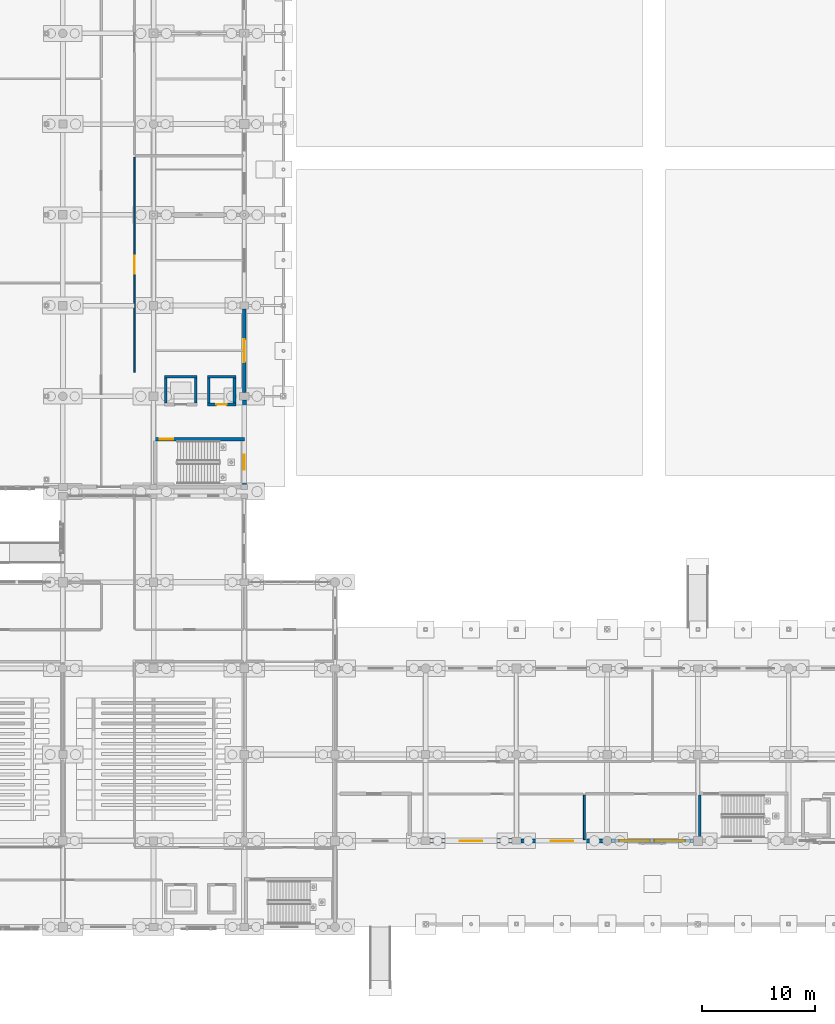
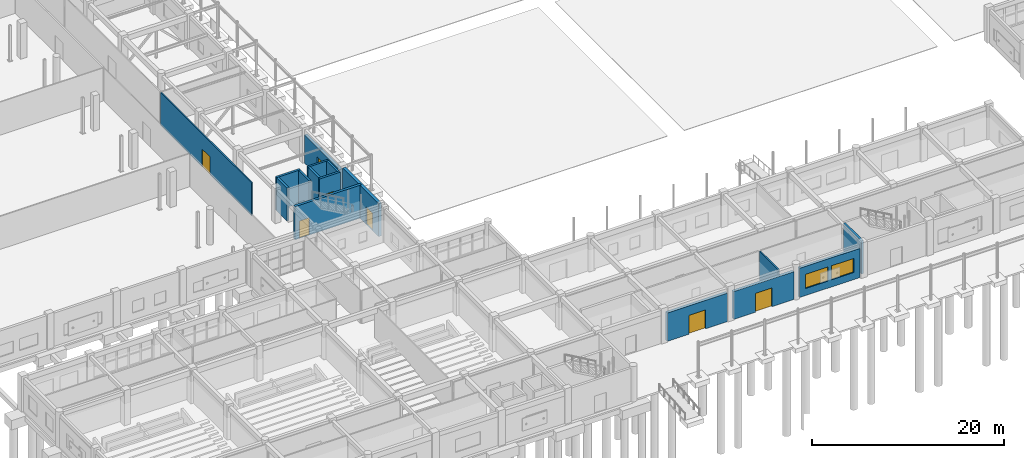
# One storey, part 131 of 166: 16 walls, 7 doors, 2 windows, 9 openings.
"""IFC4 building model written with IfcOpenShell, lengths in metres."""

import ifcopenshell
import ifcopenshell.guid

model = None  # the IFC model being written
_history = None  # IfcOwnerHistory: only IFC2X3 demands one
_inside = {}  # id of a spatial element -> (the spatial element, [elements in it])
_under = {}  # id of a project, library or spatial element -> (it, [spatial elements below it])
_declared = {}  # id of a project -> (the project, [libraries it declares])
_typed = {}  # id of a type object -> (the type object, [elements of that type])
_made_of = {}  # id of a material, layer set ... -> (it, [elements and type objects made of it])


def new_model(schema):
    """Start an empty IFC model of exactly this schema.

    Asked for "IFC4X3", IfcOpenShell would pick the latest addendum, in which some entities
    have other attributes; the version numbers below select the first issue.
    IFC2X3 requires an IfcOwnerHistory on every rooted entity: one is made here for all.
    """
    global model, _history
    if schema == "IFC4X3":
        model = ifcopenshell.file(schema_version=(4, 3, 0, 0))
    else:
        model = ifcopenshell.file(schema=schema)
    _inside.clear()
    _under.clear()
    _declared.clear()
    _typed.clear()
    _made_of.clear()
    _history = None
    if model.schema == "IFC2X3":
        org = make("IfcOrganization", Name="unknown")
        user = make(
            "IfcPersonAndOrganization",
            ThePerson=make("IfcPerson", FamilyName="unknown"),
            TheOrganization=org,
        )
        app = make(
            "IfcApplication",
            ApplicationDeveloper=org,
            Version="unknown",
            ApplicationFullName="unknown",
            ApplicationIdentifier="unknown",
        )
        _history = make(
            "IfcOwnerHistory",
            OwningUser=user,
            OwningApplication=app,
            ChangeAction="ADDED",
            CreationDate=0,
        )
    return model


def make(cls, **values):
    """One entity of the class cls with the attributes given. An attribute that is None is left unset."""
    return model.create_entity(
        cls, **{name: value for name, value in values.items() if value is not None}
    )


def rooted(cls, **values):
    """An entity with a GlobalId (a new one), such as an element, a storey or a relation."""
    return make(cls, GlobalId=ifcopenshell.guid.new(), OwnerHistory=_history, **values)


def si_unit(unit_type, name, prefix=None):
    """IfcSIUnit, for example si_unit("LENGTHUNIT", "METRE", prefix="MILLI")."""
    return make("IfcSIUnit", UnitType=unit_type, Prefix=prefix, Name=name)


def assignment(units):
    """IfcUnitAssignment: the units of a project."""
    return None if units is None else make("IfcUnitAssignment", Units=units)


def point(xyz):
    """IfcCartesianPoint."""
    return None if xyz is None else make("IfcCartesianPoint", Coordinates=xyz)


def direction(xyz):
    """IfcDirection."""
    return None if xyz is None else make("IfcDirection", DirectionRatios=xyz)


def frame(location, z_axis=None, x_axis=None):
    """IfcAxis2Placement3D, a coordinate frame: its origin and axes. An axis left out is left unset."""
    return make(
        "IfcAxis2Placement3D",
        Location=point(location),
        Axis=direction(z_axis),
        RefDirection=direction(x_axis),
    )


def frame_2d(location, x_axis=None):
    """IfcAxis2Placement2D, a coordinate frame in the plane: its origin and x axis."""
    return make(
        "IfcAxis2Placement2D", Location=point(location), RefDirection=direction(x_axis)
    )


def origin():
    """The frame at (0, 0, 0) with its axes left unset."""
    return frame((0.0, 0.0, 0.0))


def place(relative_to, where):
    """IfcLocalPlacement: puts the frame where relative to a parent placement (None: the world)."""
    return make(
        "IfcLocalPlacement", PlacementRelTo=relative_to, RelativePlacement=where
    )


def context(
    kind, dimensions, precision=None, world=None, true_north=None, identifier=None
):
    """IfcGeometricRepresentationContext, for example the 3D "Model" context."""
    return make(
        "IfcGeometricRepresentationContext",
        ContextIdentifier=identifier,
        ContextType=kind,
        CoordinateSpaceDimension=dimensions,
        Precision=precision,
        WorldCoordinateSystem=world,
        TrueNorth=true_north,
    )


def subcontext(parent, identifier, kind, view, scale=None):
    """IfcGeometricRepresentationSubContext, for example "Body" below "Model"."""
    return make(
        "IfcGeometricRepresentationSubContext",
        ContextIdentifier=identifier,
        ContextType=kind,
        ParentContext=parent,
        TargetScale=scale,
        TargetView=view,
    )


def project(units=None, contexts=None):
    """IfcProject with its units and contexts."""
    return rooted(
        "IfcProject",
        Name="project",
        RepresentationContexts=contexts,
        UnitsInContext=assignment(units),
    )


def spatial(cls, under=None, at=None, **own):
    """A site, building, storey or space (cls), placed at a placement, below another one or the project."""
    s = rooted(cls, ObjectPlacement=at, **own)
    if under is not None:
        _under.setdefault(under.id(), (under, []))[1].append(s)
    return s


def profile(cls, at=None, kind="AREA", **sizes):
    """A parametric profile (cls). Its sizes go by their IFC names, for example OverallWidth=200.0."""
    return make(cls, ProfileType=kind, Position=at, **sizes)


def rectangle(**sizes):
    """IfcRectangleProfileDef."""
    return profile("IfcRectangleProfileDef", **sizes)


def extrude(swept, where, along, depth):
    """IfcExtrudedAreaSolid: the profile swept, set in the frame where, extruded along a direction by depth."""
    return make(
        "IfcExtrudedAreaSolid",
        SweptArea=swept,
        Position=where,
        ExtrudedDirection=direction(along),
        Depth=depth,
    )


def shape(context_of_items, identifier, shape_type, items):
    """IfcShapeRepresentation: the items that make up one representation, for example the "Body"."""
    return make(
        "IfcShapeRepresentation",
        ContextOfItems=context_of_items,
        RepresentationIdentifier=identifier,
        RepresentationType=shape_type,
        Items=items,
    )


def material(Name=None, Category=None):
    """IfcMaterial."""
    return make("IfcMaterial", Name=Name, Category=Category)


def layer(
    of_material, thickness, ventilated=None, Name=None, Category=None, Priority=None
):
    """IfcMaterialLayer: one layer of a wall or slab, of a material (None: an air gap)."""
    return make(
        "IfcMaterialLayer",
        Material=of_material,
        LayerThickness=thickness,
        IsVentilated=ventilated,
        Name=Name,
        Category=Category,
        Priority=Priority,
    )


def layer_set(layers, Name=None):
    """IfcMaterialLayerSet."""
    return make("IfcMaterialLayerSet", MaterialLayers=layers, LayerSetName=Name)


def made_of(thing, what):
    """Note that an element or type object is made of a material, layer set ...; save() writes the relation."""
    if what is not None:
        _made_of.setdefault(what.id(), (what, []))[1].append(thing)
    return thing


def type_object(cls, material=None, **own):
    """A type object (cls), such as IfcWallType, which elements share."""
    return made_of(rooted(cls, **own), material)


def element(
    cls,
    number,
    at=None,
    inside=None,
    cuts=None,
    type_object=None,
    material=None,
    context=None,
    identifier="Body",
    shape_type=None,
    held_by="IfcProductDefinitionShape",
    body=None,
    shapes=None,
    **own,
):
    """One element of the class cls, such as IfcWall. Its Tag is "e" and its number.

    at: its placement. inside: the storey or other place that contains it. cuts: it is an
    opening in that element (IfcRelVoidsElement). A single representation is given by context,
    identifier, shape_type and body (its items); several are given by shapes. held_by: the class
    of the entity that holds the representations. save() writes the other relations.
    """
    e = rooted(cls, Tag="e%d" % number, ObjectPlacement=at, **own)
    if body is not None:
        shapes = [shape(context, identifier, shape_type, body)]
    if shapes is not None:
        e.Representation = make(held_by, Representations=shapes)
    if inside is not None:
        _inside.setdefault(inside.id(), (inside, []))[1].append(e)
    if cuts is not None:
        rooted(
            "IfcRelVoidsElement", RelatingBuildingElement=cuts, RelatedOpeningElement=e
        )
    if type_object is not None:
        _typed.setdefault(type_object.id(), (type_object, []))[1].append(e)
    return made_of(e, material)


def fill(opening, filler):
    """IfcRelFillsElement: the door or window that sits in an opening."""
    return rooted(
        "IfcRelFillsElement",
        RelatingOpeningElement=opening,
        RelatedBuildingElement=filler,
    )


def aggregate(whole, parts):
    """IfcRelAggregates: a whole, such as a stair, and the parts it consists of."""
    return rooted("IfcRelAggregates", RelatingObject=whole, RelatedObjects=parts)


def save(model, path):
    """Write the relations noted so far, then the file.

    IfcRelAggregates (storeys below a building ...), IfcRelContainedInSpatialStructure (elements
    in a storey), IfcRelDefinesByType, IfcRelAssociatesMaterial and IfcRelDeclares: one each for
    every whole, place, type object, material and project.
    """
    for whole, parts in _under.values():
        aggregate(whole, parts)
    for where, things in _inside.values():
        rooted(
            "IfcRelContainedInSpatialStructure",
            RelatedElements=things,
            RelatingStructure=where,
        )
    for kind, things in _typed.values():
        rooted("IfcRelDefinesByType", RelatedObjects=things, RelatingType=kind)
    for what, things in _made_of.values():
        rooted("IfcRelAssociatesMaterial", RelatedObjects=things, RelatingMaterial=what)
    for by, libraries in _declared.values():
        rooted("IfcRelDeclares", RelatingContext=by, RelatedDefinitions=libraries)
    model.write(path)


model = new_model("IFC4")

# Units and contexts
model_context = context("Model", 3, precision=1e-05, world=origin(), true_north=direction((0.0, 1.0)))
body_context = subcontext(model_context, "Body", "Model", "MODEL_VIEW")
ifc_project = project(units=[si_unit("LENGTHUNIT", "METRE"), si_unit("AREAUNIT", "SQUARE_METRE"), si_unit("VOLUMEUNIT", "CUBIC_METRE"), si_unit("PLANEANGLEUNIT", "RADIAN"), si_unit("MASSUNIT", "GRAM", prefix="KILO")], contexts=[model_context])

# Site, building, storey
site_placement = place(None, origin())
site = spatial("IfcSite", under=ifc_project, at=site_placement, CompositionType="ELEMENT")
building_placement = place(site_placement, origin())
building = spatial("IfcBuilding", under=site, at=building_placement, Name="Kharva Crest Polytechnic", CompositionType="ELEMENT")
storey_placement = place(building_placement, origin())
storey = spatial("IfcBuildingStorey", under=building, at=storey_placement, Name="L00", CompositionType="ELEMENT", Elevation=0.0)

# Wall, opening, door
ifc_material_1 = material(Name="Concrete C40/50", Category="concrete")
ifc_layer_1 = layer(ifc_material_1, 0.300048828125, Name="Concrete C40/50")
ifc_layer_set_1 = layer_set([ifc_layer_1], Name="Concrete C40/50")
wall_type_1 = type_object("IfcWallType", Name="WL-CORE-CW2-300", PredefinedType="SHEAR", material=ifc_layer_set_1)
wall_1_placement = place(storey_placement, frame((40.0, 43.010009765625, 0.0), z_axis=(0.0, 0.0, 1.0), x_axis=(1.0, 0.0, 0.0)))
wall_1 = element("IfcWall", 1, at=wall_1_placement, inside=storey, type_object=wall_type_1, Name="L00 West Workshop Core C2 North Shear Wall", PredefinedType="SHEAR", context=body_context, shape_type="SweptSolid", body=[
    extrude(rectangle(XDim=8.0, YDim=0.300048828125, at=frame_2d((4.0, 0.0))), origin(), (0.0, 0.0, 1.0), 4.219970703125),
])
opening_1_placement = place(wall_1_placement, frame((0.550048828125, 0.0, 0.0)))
opening_1 = element("IfcOpeningElement", 2, at=opening_1_placement, cuts=wall_1, Name="Opening FD1", PredefinedType="OPENING", context=body_context, shape_type="SweptSolid", body=[
    extrude(rectangle(XDim=1.199951171875, YDim=2.199951171875, at=frame_2d((0.60009765625, 1.10009765625))), frame((0.0, 0.159912109375, 0.0), z_axis=(0.0, -1.0, 0.0), x_axis=(1.0, 0.0, 0.0)), (0.0, 0.0, 1.0), 0.320068359375),
])
ifc_material_2 = material(Name="Teak timber", Category="wood")
door_type_1 = type_object("IfcDoorType", Name="DR-STAIR-1200X2200", OperationType="NOTDEFINED", PredefinedType="DOOR", material=ifc_material_2)
door_1_placement = place(opening_1_placement, origin())
door_1 = element("IfcDoor", 3, at=door_1_placement, inside=storey, type_object=door_type_1, Name="L00 ST-02 Stair Door", OperationType="SINGLE_SWING_LEFT", OverallHeight=2.199951171875, OverallWidth=1.199951171875, PredefinedType="DOOR", context=body_context, shape_type="SweptSolid", body=[
    extrude(rectangle(XDim=1.199951171875, YDim=2.199951171875, at=frame_2d((0.60009765625, 1.10009765625))), frame((0.0, 0.02490234375, 0.0), z_axis=(0.0, -1.0, 0.0), x_axis=(1.0, 0.0, 0.0)), (0.0, 0.0, 1.0), 0.050048828125),
])
fill(opening_1, door_1)

# Wall, openings, windows
ifc_material_3 = material(Name="Kiln brick masonry", Category="masonry")
ifc_layer_2 = layer(ifc_material_3, 0.3349609375, Name="Kiln brick masonry")
ifc_layer_set_2 = layer_set([ifc_layer_2], Name="Kiln brick masonry")
wall_type_2 = type_object("IfcWallType", Name="WL-EXT-BRK-335", PredefinedType="SOLIDWALL", material=ifc_layer_set_2)
wall_2_placement = place(storey_placement, frame((80.3359375, 7.60009765625, 0.0), z_axis=(0.0, 0.0, 1.0), x_axis=(1.0, 0.0, 0.0)))
wall_2 = element("IfcWall", 4, at=wall_2_placement, inside=storey, type_object=wall_type_2, Name="L00 Exterior Brick Wall 23", PredefinedType="SOLIDWALL", context=body_context, shape_type="SweptSolid", body=[
    extrude(rectangle(XDim=7.26904296875, YDim=0.3349609375, at=frame_2d((3.634521484375, 0.0))), origin(), (0.0, 0.0, 1.0), 3.719970703125),
])
opening_2_placement = place(wall_2_placement, frame((0.72998046875, 0.0, 0.89990234375)))
opening_2 = element("IfcOpeningElement", 5, at=opening_2_placement, cuts=wall_2, Name="Opening W01", PredefinedType="OPENING", context=body_context, shape_type="SweptSolid", body=[
    extrude(rectangle(XDim=2.699951171875, YDim=1.800048828125, at=frame_2d((1.35009765625, 0.89990234375))), frame((0.0, 0.177490234375, 0.0), z_axis=(0.0, -1.0, 0.0), x_axis=(1.0, 0.0, 0.0)), (0.0, 0.0, 1.0), 0.35498046875),
])
opening_3_placement = place(wall_2_placement, frame((3.839111328125, 0.0, 0.89990234375)))
opening_3 = element("IfcOpeningElement", 6, at=opening_3_placement, cuts=wall_2, Name="Opening W01", PredefinedType="OPENING", context=body_context, shape_type="SweptSolid", body=[
    extrude(rectangle(XDim=2.699951171875, YDim=1.800048828125, at=frame_2d((1.35009765625, 0.89990234375))), frame((0.0, 0.177490234375, 0.0), z_axis=(0.0, -1.0, 0.0), x_axis=(1.0, 0.0, 0.0)), (0.0, 0.0, 1.0), 0.35498046875),
])
ifc_material_4 = material(Name="Anodised aluminium", Category="aluminium")
window_type = type_object("IfcWindowType", Name="WIN-ALU-2700X1800", PartitioningType="SINGLE_PANEL", PredefinedType="WINDOW", material=ifc_material_4)
window_1_placement = place(opening_2_placement, origin())
window_1 = element("IfcWindow", 7, at=window_1_placement, inside=storey, type_object=window_type, Name="L00 Exterior Window 24", OverallHeight=1.800048828125, OverallWidth=2.699951171875, PartitioningType="SINGLE_PANEL", PredefinedType="WINDOW", context=body_context, shape_type="SweptSolid", body=[
    extrude(rectangle(XDim=2.699951171875, YDim=1.800048828125, at=frame_2d((1.35009765625, 0.89990234375))), frame((0.0, 0.030029296875, 0.0), z_axis=(0.0, -1.0, 0.0), x_axis=(1.0, 0.0, 0.0)), (0.0, 0.0, 1.0), 0.06005859375),
])
fill(opening_2, window_1)
window_2_placement = place(opening_3_placement, origin())
window_2 = element("IfcWindow", 8, at=window_2_placement, inside=storey, type_object=window_type, Name="L00 Exterior Window 25", OverallHeight=1.800048828125, OverallWidth=2.699951171875, PartitioningType="SINGLE_PANEL", PredefinedType="WINDOW", context=body_context, shape_type="SweptSolid", body=[
    extrude(rectangle(XDim=2.699951171875, YDim=1.800048828125, at=frame_2d((1.35009765625, 0.89990234375))), frame((0.0, 0.030029296875, 0.0), z_axis=(0.0, -1.0, 0.0), x_axis=(1.0, 0.0, 0.0)), (0.0, 0.0, 1.0), 0.06005859375),
])
fill(opening_3, window_2)

# Wall, opening, door
wall_3_placement = place(storey_placement, frame((48.0, 47.1201171875, 0.0), z_axis=(0.0, 0.0, 1.0), x_axis=(0.0, 1.0, 0.0)))
wall_3 = element("IfcWall", 9, at=wall_3_placement, inside=storey, type_object=wall_type_2, Name="L00 Exterior Brick Wall 73", PredefinedType="SOLIDWALL", context=body_context, shape_type="SweptSolid", body=[
    extrude(rectangle(XDim=7.384765625, YDim=0.3349609375, at=frame_2d((3.6923828125, 0.0))), origin(), (0.0, 0.0, 1.0), 3.60009765625),
])
opening_4_placement = place(wall_3_placement, frame((2.693115234375, 0.0, 0.0)))
opening_4 = element("IfcOpeningElement", 10, at=opening_4_placement, cuts=wall_3, Name="Opening ED2", PredefinedType="OPENING", context=body_context, shape_type="SweptSolid", body=[
    extrude(rectangle(XDim=2.0, YDim=2.39990234375, at=frame_2d((1.0, 1.199951171875))), frame((0.0, 0.177490234375, 0.0), z_axis=(0.0, -1.0, 0.0), x_axis=(1.0, 0.0, 0.0)), (0.0, 0.0, 1.0), 0.35498046875),
])
door_type_2 = type_object("IfcDoorType", Name="DR-EXT-DBL-2000X2400", OperationType="NOTDEFINED", PredefinedType="DOOR", material=ifc_material_4)
door_2_placement = place(opening_4_placement, frame((2.0, 0.0, 0.0), z_axis=(0.0, 0.0, 1.0), x_axis=(-1.0, 0.0, 0.0)))
door_2 = element("IfcDoor", 11, at=door_2_placement, inside=storey, type_object=door_type_2, Name="L00 VER_W_L00 Access Door 15", OperationType="DOUBLE_DOOR_SINGLE_SWING", OverallHeight=2.39990234375, OverallWidth=2.0, PredefinedType="DOOR", context=body_context, shape_type="SweptSolid", body=[
    extrude(rectangle(XDim=2.0, YDim=2.39990234375, at=frame_2d((1.0, 1.199951171875))), frame((0.0, 0.02490234375, 0.0), z_axis=(0.0, -1.0, 0.0), x_axis=(1.0, 0.0, 0.0)), (0.0, 0.0, 1.0), 0.050048828125),
])
fill(opening_4, door_2)

ifc_layer_3 = layer(ifc_material_3, 0.35009765625, Name="Kiln brick masonry")
ifc_layer_set_3 = layer_set([ifc_layer_3], Name="Kiln brick masonry")
wall_type_3 = type_object("IfcWallType", Name="WL-EXT-BRK-350", PredefinedType="SOLIDWALL", material=ifc_layer_set_3)
wall_4_placement = place(storey_placement, frame((72.385009765625, 7.60009765625, 0.0), z_axis=(0.0, 0.0, 1.0), x_axis=(1.0, 0.0, 0.0)))
wall_4 = element("IfcWall", 12, at=wall_4_placement, inside=storey, type_object=wall_type_3, Name="L00 Exterior Brick Wall 22", PredefinedType="SOLIDWALL", context=body_context, shape_type="SweptSolid", body=[
    extrude(rectangle(XDim=7.279052734375, YDim=0.35009765625, at=frame_2d((3.6396484375, 0.0))), origin(), (0.0, 0.0, 1.0), 3.5400390625),
])
opening_5_placement = place(wall_4_placement, frame((2.638916015625, 0.0, 0.0)))
opening_5 = element("IfcOpeningElement", 13, at=opening_5_placement, cuts=wall_4, Name="Opening ED2", PredefinedType="OPENING", context=body_context, shape_type="SweptSolid", body=[
    extrude(rectangle(XDim=2.0, YDim=2.39990234375, at=frame_2d((1.0, 1.199951171875))), frame((0.0, 0.18505859375, 0.0), z_axis=(0.0, -1.0, 0.0), x_axis=(1.0, 0.0, 0.0)), (0.0, 0.0, 1.0), 0.3701171875),
])
door_3_placement = place(opening_5_placement, frame((2.0, 0.0, 0.0), z_axis=(0.0, 0.0, 1.0), x_axis=(-1.0, 0.0, 0.0)))
door_3 = element("IfcDoor", 14, at=door_3_placement, inside=storey, type_object=door_type_2, Name="L00 ARC_S_L00 Access Door 8", OperationType="DOUBLE_DOOR_SINGLE_SWING", OverallHeight=2.39990234375, OverallWidth=2.0, PredefinedType="DOOR", context=body_context, shape_type="SweptSolid", body=[
    extrude(rectangle(XDim=2.0, YDim=2.39990234375, at=frame_2d((1.0, 1.199951171875))), frame((0.0, 0.02490234375, 0.0), z_axis=(0.0, -1.0, 0.0), x_axis=(1.0, 0.0, 0.0)), (0.0, 0.0, 1.0), 0.050048828125),
])
fill(opening_5, door_3)

wall_5_placement = place(storey_placement, frame((48.0, 38.9951171875, 0.0), z_axis=(0.0, 0.0, 1.0), x_axis=(0.0, 1.0, 0.0)))
wall_5 = element("IfcWall", 15, at=wall_5_placement, inside=storey, type_object=wall_type_3, Name="L00 Exterior Brick Wall 72", PredefinedType="SOLIDWALL", context=body_context, shape_type="SweptSolid", body=[
    extrude(rectangle(XDim=7.48486328125, YDim=0.35009765625, at=frame_2d((3.742431640625, 0.0))), origin(), (0.0, 0.0, 1.0), 4.219970703125),
])
opening_6_placement = place(wall_5_placement, frame((1.31005859375, 0.0, 0.0)))
opening_6 = element("IfcOpeningElement", 16, at=opening_6_placement, cuts=wall_5, Name="Opening ED6", PredefinedType="OPENING", context=body_context, shape_type="SweptSolid", body=[
    extrude(rectangle(XDim=1.35009765625, YDim=2.199951171875, at=frame_2d((0.675048828125, 1.10009765625))), frame((0.0, 0.18505859375, 0.0), z_axis=(0.0, -1.0, 0.0), x_axis=(1.0, 0.0, 0.0)), (0.0, 0.0, 1.0), 0.3701171875),
])
door_type_3 = type_object("IfcDoorType", Name="DR-EXT-ESC-1350X2200", OperationType="NOTDEFINED", PredefinedType="DOOR", material=ifc_material_4)
door_4_placement = place(opening_6_placement, frame((1.35009765625, 0.0, 0.0), z_axis=(0.0, 0.0, 1.0), x_axis=(-1.0, 0.0, 0.0)))
door_4 = element("IfcDoor", 17, at=door_4_placement, inside=storey, type_object=door_type_3, Name="L00 Core C2 Final Exit Door", OperationType="SINGLE_SWING_RIGHT", OverallHeight=2.199951171875, OverallWidth=1.35009765625, PredefinedType="DOOR", context=body_context, shape_type="SweptSolid", body=[
    extrude(rectangle(XDim=1.35009765625, YDim=2.199951171875, at=frame_2d((0.675048828125, 1.10009765625))), frame((0.0, 0.02490234375, 0.0), z_axis=(0.0, -1.0, 0.0), x_axis=(1.0, 0.0, 0.0)), (0.0, 0.0, 1.0), 0.050048828125),
])
fill(opening_6, door_4)

ifc_layer_4 = layer(ifc_material_3, 0.364990234375, Name="Kiln brick masonry")
ifc_layer_set_4 = layer_set([ifc_layer_4], Name="Kiln brick masonry")
wall_type_4 = type_object("IfcWallType", Name="WL-EXT-BRK-365", PredefinedType="SOLIDWALL", material=ifc_layer_set_4)
wall_6_placement = place(storey_placement, frame((64.39501953125, 7.60009765625, 0.0), z_axis=(0.0, 0.0, 1.0), x_axis=(1.0, 0.0, 0.0)))
wall_6 = element("IfcWall", 18, at=wall_6_placement, inside=storey, type_object=wall_type_4, Name="L00 Exterior Brick Wall 21", PredefinedType="SOLIDWALL", context=body_context, shape_type="SweptSolid", body=[
    extrude(rectangle(XDim=7.219970703125, YDim=0.364990234375, at=frame_2d((3.60986328125, 0.0))), origin(), (0.0, 0.0, 1.0), 3.6201171875),
])
opening_7_placement = place(wall_6_placement, frame((2.610107421875, 0.0, 0.0)))
opening_7 = element("IfcOpeningElement", 19, at=opening_7_placement, cuts=wall_6, Name="Opening ED2", PredefinedType="OPENING", context=body_context, shape_type="SweptSolid", body=[
    extrude(rectangle(XDim=2.0, YDim=2.39990234375, at=frame_2d((1.0, 1.199951171875))), frame((0.0, 0.1923828125, 0.0), z_axis=(0.0, -1.0, 0.0), x_axis=(1.0, 0.0, 0.0)), (0.0, 0.0, 1.0), 0.385009765625),
])
door_5_placement = place(opening_7_placement, frame((2.0, 0.0, 0.0), z_axis=(0.0, 0.0, 1.0), x_axis=(-1.0, 0.0, 0.0)))
door_5 = element("IfcDoor", 20, at=door_5_placement, inside=storey, type_object=door_type_2, Name="L00 ARC_S_L00 Access Door 7", OperationType="DOUBLE_DOOR_SINGLE_SWING", OverallHeight=2.39990234375, OverallWidth=2.0, PredefinedType="DOOR", context=body_context, shape_type="SweptSolid", body=[
    extrude(rectangle(XDim=2.0, YDim=2.39990234375, at=frame_2d((1.0, 1.199951171875))), frame((0.0, 0.02490234375, 0.0), z_axis=(0.0, -1.0, 0.0), x_axis=(1.0, 0.0, 0.0)), (0.0, 0.0, 1.0), 0.050048828125),
])
fill(opening_7, door_5)

ifc_layer_5 = layer(ifc_material_3, 0.14990234375, Name="Kiln brick masonry")
ifc_layer_set_5 = layer_set([ifc_layer_5], Name="Kiln brick masonry")
wall_type_5 = type_object("IfcWallType", Name="WL-PART-150", PredefinedType="PARTITIONING", material=ifc_layer_set_5)
wall_7_placement = place(storey_placement, frame((38.31005859375, 48.909912109375, 0.0), z_axis=(0.0, 0.0, 1.0), x_axis=(0.0, 1.0, 0.0)))
wall_7 = element("IfcWall", 21, at=wall_7_placement, inside=storey, type_object=wall_type_5, Name="L00 Interior Partition 33", PredefinedType="PARTITIONING", context=body_context, shape_type="SweptSolid", body=[
    extrude(rectangle(XDim=18.97998046875, YDim=0.14990234375, at=frame_2d((9.489990234375, 0.0))), origin(), (0.0, 0.0, 1.0), 4.199951171875),
])
opening_8_placement = place(wall_7_placement, frame((8.68994140625, 0.0, 0.0)))
opening_8 = element("IfcOpeningElement", 22, at=opening_8_placement, cuts=wall_7, Name="Opening ID4", PredefinedType="OPENING", context=body_context, shape_type="SweptSolid", body=[
    extrude(rectangle(XDim=1.60009765625, YDim=2.25, at=frame_2d((0.800048828125, 1.125))), frame((0.0, 0.0849609375, 0.0), z_axis=(0.0, -1.0, 0.0), x_axis=(1.0, 0.0, 0.0)), (0.0, 0.0, 1.0), 0.169921875),
])
door_type_4 = type_object("IfcDoorType", Name="DR-WKSHP-DBL-1600X2250", OperationType="NOTDEFINED", PredefinedType="DOOR", material=ifc_material_2)
door_6_placement = place(opening_8_placement, origin())
door_6 = element("IfcDoor", 23, at=door_6_placement, inside=storey, type_object=door_type_4, Name="L00 Hydraulics Bench Workshop Door", OperationType="DOUBLE_DOOR_SINGLE_SWING", OverallHeight=2.25, OverallWidth=1.60009765625, PredefinedType="DOOR", context=body_context, shape_type="SweptSolid", body=[
    extrude(rectangle(XDim=1.60009765625, YDim=2.25, at=frame_2d((0.800048828125, 1.125))), frame((0.0, 0.02490234375, 0.0), z_axis=(0.0, -1.0, 0.0), x_axis=(1.0, 0.0, 0.0)), (0.0, 0.0, 1.0), 0.050048828125),
])
fill(opening_8, door_6)

# Walls
ifc_layer_6 = layer(ifc_material_3, 0.169921875, Name="Kiln brick masonry")
ifc_layer_set_6 = layer_set([ifc_layer_6], Name="Kiln brick masonry")
wall_type_6 = type_object("IfcWallType", Name="WL-PART-170", PredefinedType="PARTITIONING", material=ifc_layer_set_6)
wall_8_placement = place(storey_placement, frame((78.0, 7.7099609375, 0.0), z_axis=(0.0, 0.0, 1.0), x_axis=(0.0, 1.0, 0.0)))
element("IfcWall", 24, at=wall_8_placement, inside=storey, type_object=wall_type_6, Name="L00 Interior Partition 71", PredefinedType="PARTITIONING", context=body_context, shape_type="SweptSolid", body=[
    extrude(rectangle(XDim=3.919921875, YDim=0.169921875, at=frame_2d((1.9599609375, 0.0))), origin(), (0.0, 0.0, 1.0), 4.199951171875),
])
ifc_layer_7 = layer(ifc_material_1, 0.25, Name="Concrete C40/50")
ifc_layer_set_7 = layer_set([ifc_layer_7], Name="Concrete C40/50")
wall_type_7 = type_object("IfcWallType", Name="WL-SHEAR-SW1-250", PredefinedType="SHEAR", material=ifc_layer_set_7)
wall_9_placement = place(storey_placement, frame((40.949951171875, 48.52490234375, 0.0), z_axis=(0.0, 0.0, 1.0), x_axis=(1.0, 0.0, 0.0)))
element("IfcWall", 25, at=wall_9_placement, inside=storey, type_object=wall_type_7, Name="L00 Lift PL2 North Shaft Wall", PredefinedType="SHEAR", context=body_context, shape_type="SweptSolid", body=[
    extrude(rectangle(XDim=2.900146484375, YDim=0.25, at=frame_2d((1.4501953125, 0.0))), origin(), (0.0, 0.0, 1.0), 4.219970703125),
])
for number, where, z_axis, x_axis, name in (
    (26, (41.074951171875, 46.199951171875, 0.0), (0.0, 0.0, 1.0), (0.0, 1.0, 0.0), "L00 Lift PL2 West Shaft Wall"),
    (27, (43.72509765625, 46.199951171875, 0.0), (0.0, 0.0, 1.0), (0.0, 1.0, 0.0), "L00 Lift PL2 East Shaft Wall"),
):
    element("IfcWall", number, at=place(storey_placement, frame(where, z_axis=z_axis, x_axis=x_axis)), inside=storey, type_object=wall_type_7, Name=name, PredefinedType="SHEAR", context=body_context, shape_type="SweptSolid", body=[
        extrude(rectangle(XDim=2.199951171875, YDim=0.25, at=frame_2d((1.10009765625, 0.0))), origin(), (0.0, 0.0, 1.0), 4.219970703125),
    ])

# Wall, opening, door
wall_10_placement = place(storey_placement, frame((44.75, 46.074951171875, 0.0), z_axis=(0.0, 0.0, 1.0), x_axis=(1.0, 0.0, 0.0)))
wall_10 = element("IfcWall", 28, at=wall_10_placement, inside=storey, type_object=wall_type_7, Name="L00 Core C2 Riser South Wall", PredefinedType="SHEAR", context=body_context, shape_type="SweptSolid", body=[
    extrude(rectangle(XDim=2.5, YDim=0.25, at=frame_2d((1.25, 0.0))), origin(), (0.0, 0.0, 1.0), 4.219970703125),
])
opening_9_placement = place(wall_10_placement, frame((0.800048828125, 0.0, 0.0)))
opening_9 = element("IfcOpeningElement", 29, at=opening_9_placement, cuts=wall_10, Name="Opening FD3", PredefinedType="OPENING", context=body_context, shape_type="SweptSolid", body=[
    extrude(rectangle(XDim=0.89990234375, YDim=2.050048828125, at=frame_2d((0.449951171875, 1.02490234375))), frame((0.0, 0.135009765625, 0.0), z_axis=(0.0, -1.0, 0.0), x_axis=(1.0, 0.0, 0.0)), (0.0, 0.0, 1.0), 0.27001953125),
])
door_type_5 = type_object("IfcDoorType", Name="DR-RISER-900X2050", OperationType="NOTDEFINED", PredefinedType="DOOR", material=ifc_material_4)
door_7_placement = place(opening_9_placement, origin())
door_7 = element("IfcDoor", 30, at=door_7_placement, inside=storey, type_object=door_type_5, Name="L00 Core C2 Riser Access Door", OperationType="SINGLE_SWING_RIGHT", OverallHeight=2.050048828125, OverallWidth=0.89990234375, PredefinedType="DOOR", context=body_context, shape_type="SweptSolid", body=[
    extrude(rectangle(XDim=0.89990234375, YDim=2.050048828125, at=frame_2d((0.449951171875, 1.02490234375))), frame((0.0, 0.02490234375, 0.0), z_axis=(0.0, -1.0, 0.0), x_axis=(1.0, 0.0, 0.0)), (0.0, 0.0, 1.0), 0.050048828125),
])
fill(opening_9, door_7)

# Walls
wall_11_placement = place(storey_placement, frame((44.75, 48.52490234375, 0.0), z_axis=(0.0, 0.0, 1.0), x_axis=(1.0, 0.0, 0.0)))
element("IfcWall", 31, at=wall_11_placement, inside=storey, type_object=wall_type_7, Name="L00 Core C2 Riser North Wall", PredefinedType="SHEAR", context=body_context, shape_type="SweptSolid", body=[
    extrude(rectangle(XDim=2.5, YDim=0.25, at=frame_2d((1.25, 0.0))), origin(), (0.0, 0.0, 1.0), 4.219970703125),
])
for number, where, z_axis, x_axis, name in (
    (32, (44.875, 46.199951171875, 0.0), (0.0, 0.0, 1.0), (0.0, 1.0, 0.0), "L00 Core C2 Riser West Wall"),
    (33, (47.125, 46.199951171875, 0.0), (0.0, 0.0, 1.0), (0.0, 1.0, 0.0), "L00 Core C2 Riser East Wall"),
):
    element("IfcWall", number, at=place(storey_placement, frame(where, z_axis=z_axis, x_axis=x_axis)), inside=storey, type_object=wall_type_7, Name=name, PredefinedType="SHEAR", context=body_context, shape_type="SweptSolid", body=[
        extrude(rectangle(XDim=2.199951171875, YDim=0.25, at=frame_2d((1.10009765625, 0.0))), origin(), (0.0, 0.0, 1.0), 4.219970703125),
    ])
wall_12_placement = place(storey_placement, frame((88.175048828125, 7.89990234375, 0.0), z_axis=(0.0, 0.0, 1.0), x_axis=(0.0, 1.0, 0.0)))
element("IfcWall", 34, at=wall_12_placement, inside=storey, type_object=wall_type_7, Name="L00 South Entrance Wing Stair C8 West Shear Wall", PredefinedType="SHEAR", context=body_context, shape_type="SweptSolid", body=[
    extrude(rectangle(XDim=3.760009765625, YDim=0.25, at=frame_2d((1.8798828125, 0.0))), origin(), (0.0, 0.0, 1.0), 4.219970703125),
])

save(model, "model.ifc")
